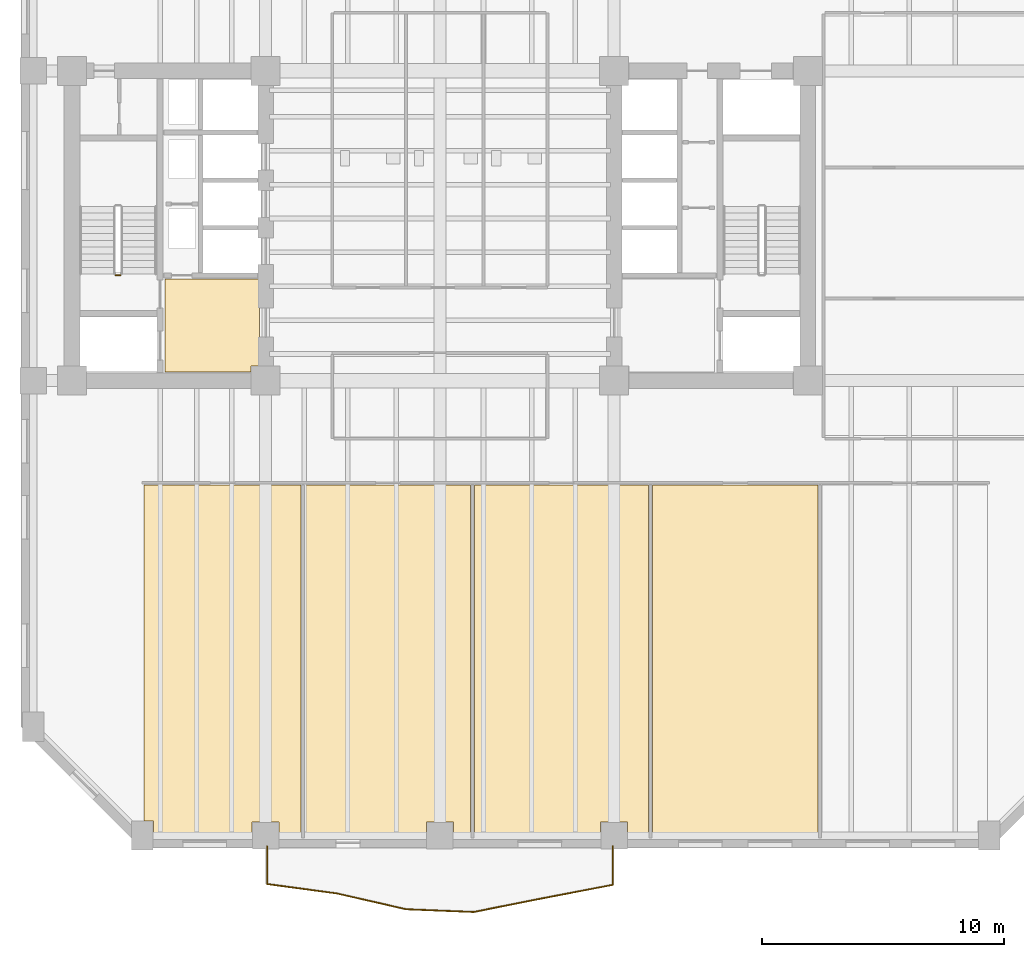
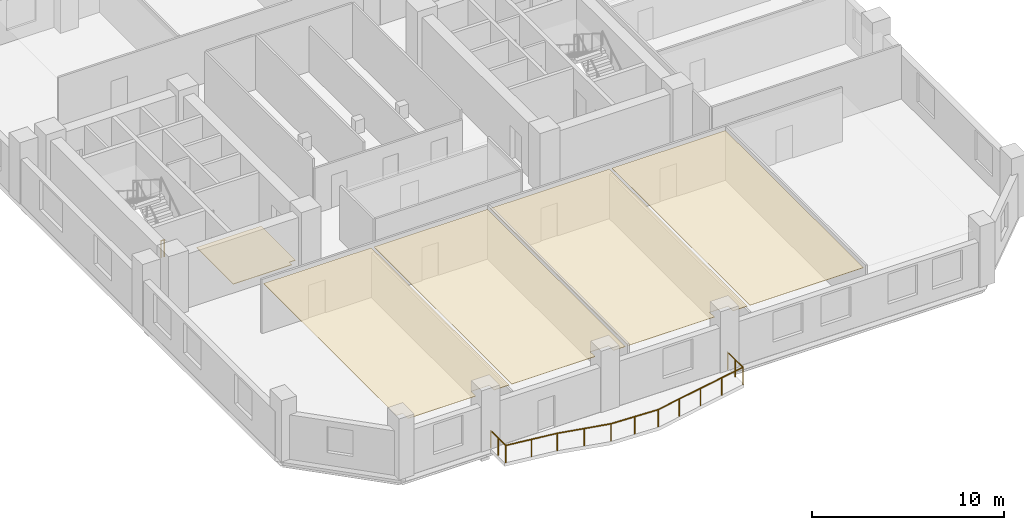
# One storey, part 9 of 12: 5 coverings, 2 railings.
"""IFC4 building model written with IfcOpenShell, lengths in metres."""

from ifc_helpers import new_model, si_unit, direction, frame, origin, origin_2d, place, context, subcontext, project, spatial, polyline, circle, outline, extrude, material, layer, layer_set, type_object, element, save


model = new_model("IFC4")

# Units and contexts
model_context = context("Model", 3, precision=1e-05, world=origin(), true_north=direction((0.0, 1.0)))
body_context = subcontext(model_context, "Body", "Model", "MODEL_VIEW")
ifc_project = project(units=[si_unit("LENGTHUNIT", "METRE"), si_unit("AREAUNIT", "SQUARE_METRE"), si_unit("VOLUMEUNIT", "CUBIC_METRE"), si_unit("PLANEANGLEUNIT", "RADIAN"), si_unit("MASSUNIT", "GRAM", prefix="KILO")], contexts=[model_context])

# Site, building, storey
site_placement = place(None, origin())
site = spatial("IfcSite", under=ifc_project, at=site_placement, CompositionType="ELEMENT")
building_placement = place(site_placement, origin())
building = spatial("IfcBuilding", under=site, at=building_placement, Name="Kranthara Brick Stack", CompositionType="ELEMENT")
storey_placement = place(building_placement, frame((0.0, 0.0, 67.199951171875)))
storey = spatial("IfcBuildingStorey", under=building, at=storey_placement, Name="L16", CompositionType="ELEMENT", Elevation=67.199951171875)

# Coverings
ifc_material_1 = material(Name="Perforated mineral-fibre acoustic ceiling tile", Category="other")
ifc_layer_1 = layer(ifc_material_1, 0.02490234375)
ifc_layer_set_1 = layer_set([ifc_layer_1], Name="Perforated mineral-fibre acoustic ceiling tile")
covering_type_1 = type_object("IfcCoveringType", Name="COV-CEIL-ACOUSTIC", PredefinedType="CEILING", material=ifc_layer_set_1)
covering_1_placement = place(storey_placement, frame((0.0, 0.0, 3.179931640625)))
element("IfcCovering", 1, at=covering_1_placement, inside=storey, type_object=covering_type_1, Name="L16 L16 Executive Cellular Office 1 Acoustic Ceiling", PredefinedType="CEILING", context=body_context, shape_type="SweptSolid", body=[
    extrude(outline(polyline([(22.27001953125, 16.47998046875), (22.27001953125, 2.070068359375), (21.360107421875, 2.070068359375), (21.360107421875, 2.56005859375), (20.239990234375, 2.56005859375), (20.239990234375, 2.070068359375), (16.159912109375, 2.070068359375), (16.159912109375, 2.610107421875), (15.780029296875, 2.610107421875), (15.780029296875, 16.47998046875), (22.27001953125, 16.47998046875)])), origin(), (0.0, 0.0, 1.0), 0.025146484375),
])
covering_2_placement = place(storey_placement, frame((0.0, 0.0, 3.179931640625)))
element("IfcCovering", 2, at=covering_2_placement, inside=storey, type_object=covering_type_1, Name="L16 L16 Executive Cellular Office 2 Acoustic Ceiling", PredefinedType="CEILING", context=body_context, shape_type="SweptSolid", body=[
    extrude(outline(polyline([(22.429931640625, 2.070068359375), (22.429931640625, 16.47998046875), (29.27001953125, 16.47998046875), (29.27001953125, 2.070068359375), (28.56005859375, 2.070068359375), (28.56005859375, 2.56005859375), (27.43994140625, 2.56005859375), (27.43994140625, 2.070068359375), (22.429931640625, 2.070068359375)])), origin(), (0.0, 0.0, 1.0), 0.025146484375),
])
covering_3_placement = place(storey_placement, frame((0.0, 0.0, 3.179931640625)))
element("IfcCovering", 3, at=covering_3_placement, inside=storey, type_object=covering_type_1, Name="L16 L16 Executive Cellular Office 3 Acoustic Ceiling", PredefinedType="CEILING", context=body_context, shape_type="SweptSolid", body=[
    extrude(outline(polyline([(29.429931640625, 2.070068359375), (29.429931640625, 16.47998046875), (36.6201171875, 16.47998046875), (36.6201171875, 2.070068359375), (35.760009765625, 2.070068359375), (35.760009765625, 2.56005859375), (34.639892578125, 2.56005859375), (34.639892578125, 2.070068359375), (29.429931640625, 2.070068359375)])), origin(), (0.0, 0.0, 1.0), 0.025146484375),
])
covering_4_placement = place(storey_placement, frame((0.0, 0.0, 3.179931640625)))
element("IfcCovering", 4, at=covering_4_placement, inside=storey, type_object=covering_type_1, Name="L16 L16 Executive Cellular Office 4 Acoustic Ceiling", PredefinedType="CEILING", context=body_context, shape_type="SweptSolid", body=[
    extrude(outline(polyline([(43.6201171875, 2.070068359375), (43.6201171875, 16.47998046875), (36.780029296875, 16.47998046875), (36.780029296875, 2.070068359375), (43.6201171875, 2.070068359375)])), origin(), (0.0, 0.0, 1.0), 0.025146484375),
])
ifc_material_2 = material(Name="Honed terrazzo and porcelain floor finish", Category="stone")
ifc_layer_2 = layer(ifc_material_2, 0.030029296875)
ifc_layer_set_2 = layer_set([ifc_layer_2], Name="Honed terrazzo and porcelain floor finish")
covering_type_2 = type_object("IfcCoveringType", Name="COV-FLOR-STONE", PredefinedType="FLOORING", material=ifc_layer_set_2)
covering_5_placement = place(storey_placement, origin())
element("IfcCovering", 5, at=covering_5_placement, inside=storey, type_object=covering_type_2, Name="L16 Lift Lobby Stone Flooring", PredefinedType="FLOORING", context=body_context, shape_type="SweptSolid", body=[
    extrude(outline(polyline([(16.64990234375, 21.14990234375), (16.64990234375, 25.0), (20.550048828125, 25.0), (20.550048828125, 21.409912109375), (20.18994140625, 21.409912109375), (20.18994140625, 21.14990234375), (16.64990234375, 21.14990234375)])), origin(), (0.0, 0.0, 1.0), 0.030029296875),
])

# Railings
ifc_material_3 = material(Name="Bronze anodised aluminium and laminated glass balustrade", Category="aluminium")
railing_type_1 = type_object("IfcRailingType", Name="RL-BALC-1120", PredefinedType="BALUSTRADE", material=ifc_material_3)
railing_1_placement = place(storey_placement, frame((35.139892578125, 1.56005859375, 0.0)))
element("IfcRailing", 6, at=railing_1_placement, inside=storey, type_object=railing_type_1, Name="L16 South Rippling Balcony Balustrade", PredefinedType="BALUSTRADE", context=body_context, shape_type="SweptSolid", body=[
    extrude(circle(Radius=0.02392578125, at=origin_2d()), frame((0.0, 0.0, 1.09619140625), z_axis=(0.0, -1.0, 0.0), x_axis=(1.0, 0.0, 0.0)), (0.0, 0.0, 1.0), 1.593994140625),
    extrude(circle(Radius=0.02392578125, at=origin_2d()), frame((0.0, -1.593994140625, 1.09619140625), z_axis=(-0.982100169134, -0.188359384652, 0.0), x_axis=(0.188359384652, -0.982100169134, 0.0)), (0.0, 0.0, 1.0), 2.931884765625),
    extrude(circle(Radius=0.02392578125, at=origin_2d()), frame((-2.87939453125, -2.146240234375, 1.09619140625), z_axis=(-0.980849578843, -0.194766793074, 0.0), x_axis=(0.194766793074, -0.980849578843, 0.0)), (0.0, 0.0, 1.0), 2.923095703125),
    extrude(circle(Radius=0.02392578125, at=origin_2d()), frame((-5.74658203125, -2.715576171875, 1.09619140625), z_axis=(-0.999177134327, 0.040559268209, 0.0), x_axis=(-0.040559268209, -0.999177134327, 0.0)), (0.0, 0.0, 1.0), 2.786865234375),
    extrude(circle(Radius=0.02392578125, at=origin_2d()), frame((-8.53125, -2.6025390625, 1.09619140625), z_axis=(-0.974965500205, 0.222356185903, 0.0), x_axis=(-0.222356185903, -0.974965500205, 0.0)), (0.0, 0.0, 1.0), 2.942626953125),
    extrude(circle(Radius=0.02392578125, at=origin_2d()), frame((-11.400146484375, -1.9482421875, 1.09619140625), z_axis=(-0.991047197084, 0.133511996284, 0.0), x_axis=(-0.133511996284, -0.991047197084, 0.0)), (0.0, 0.0, 1.0), 2.90576171875),
    extrude(circle(Radius=0.02392578125, at=origin_2d()), frame((-14.27978515625, -1.560302734375, 1.09619140625), z_axis=(0.0, 1.0, 0.0), x_axis=(-1.0, 0.0, 0.0)), (0.0, 0.0, 1.0), 1.560302734375),
    extrude(circle(Radius=0.02099609375, at=origin_2d()), origin(), (0.0, 0.0, 1.0), 1.072021484375),
    extrude(circle(Radius=0.02099609375, at=origin_2d()), frame((0.0, -0.796875, 0.0)), (0.0, 0.0, 1.0), 1.072021484375),
    extrude(circle(Radius=0.02099609375, at=origin_2d()), frame((0.0, -1.593994140625, 0.0)), (0.0, 0.0, 1.0), 1.072021484375),
    extrude(circle(Radius=0.02099609375, at=origin_2d()), frame((-1.439697265625, -1.8701171875, 0.0)), (0.0, 0.0, 1.0), 1.072021484375),
    extrude(circle(Radius=0.02099609375, at=origin_2d()), frame((-2.87939453125, -2.146240234375, 0.0)), (0.0, 0.0, 1.0), 1.072021484375),
    extrude(circle(Radius=0.02099609375, at=origin_2d()), frame((-4.31298828125, -2.430908203125, 0.0)), (0.0, 0.0, 1.0), 1.072021484375),
    extrude(circle(Radius=0.02099609375, at=origin_2d()), frame((-5.74658203125, -2.715576171875, 0.0)), (0.0, 0.0, 1.0), 1.072021484375),
    extrude(circle(Radius=0.02099609375, at=origin_2d()), frame((-7.138916015625, -2.6591796875, 0.0)), (0.0, 0.0, 1.0), 1.072021484375),
    extrude(circle(Radius=0.02099609375, at=origin_2d()), frame((-8.53125, -2.6025390625, 0.0)), (0.0, 0.0, 1.0), 1.072021484375),
    extrude(circle(Radius=0.02099609375, at=origin_2d()), frame((-9.9658203125, -2.275390625, 0.0)), (0.0, 0.0, 1.0), 1.072021484375),
    extrude(circle(Radius=0.02099609375, at=origin_2d()), frame((-11.400146484375, -1.9482421875, 0.0)), (0.0, 0.0, 1.0), 1.072021484375),
    extrude(circle(Radius=0.02099609375, at=origin_2d()), frame((-12.83984375, -1.75439453125, 0.0)), (0.0, 0.0, 1.0), 1.072021484375),
    extrude(circle(Radius=0.02099609375, at=origin_2d()), frame((-14.27978515625, -1.560302734375, 0.0)), (0.0, 0.0, 1.0), 1.072021484375),
    extrude(circle(Radius=0.02099609375, at=origin_2d()), frame((-14.27978515625, -0.7802734375, 0.0)), (0.0, 0.0, 1.0), 1.072021484375),
    extrude(circle(Radius=0.02099609375, at=origin_2d()), frame((-14.27978515625, 0.0, 0.0)), (0.0, 0.0, 1.0), 1.072021484375),
])
ifc_material_4 = material(Name="Painted galvanized steel stair guardrail", Category="steel")
railing_type_2 = type_object("IfcRailingType", Name="RL-STAIR-GUARD-1100", PredefinedType="GUARDRAIL", material=ifc_material_4)
railing_2_placement = place(storey_placement, frame((14.800048828125, 25.14990234375, 0.0)))
element("IfcRailing", 7, at=railing_2_placement, inside=storey, type_object=railing_type_2, Name="L16 ST01 stair guard 4", PredefinedType="GUARDRAIL", context=body_context, shape_type="SweptSolid", body=[
    extrude(circle(Radius=0.02392578125, at=origin_2d()), frame((0.0, 0.0, 1.076171875), z_axis=(-1.0, 0.0, 0.0), x_axis=(0.0, -1.0, 0.0)), (0.0, 0.0, 1.0), 0.199951171875),
    extrude(circle(Radius=0.02099609375, at=origin_2d()), origin(), (0.0, 0.0, 1.0), 1.052001953125),
    extrude(circle(Radius=0.02099609375, at=origin_2d()), frame((-0.199951171875, 0.0, 0.0)), (0.0, 0.0, 1.0), 1.052001953125),
])

save(model, "model.ifc")
